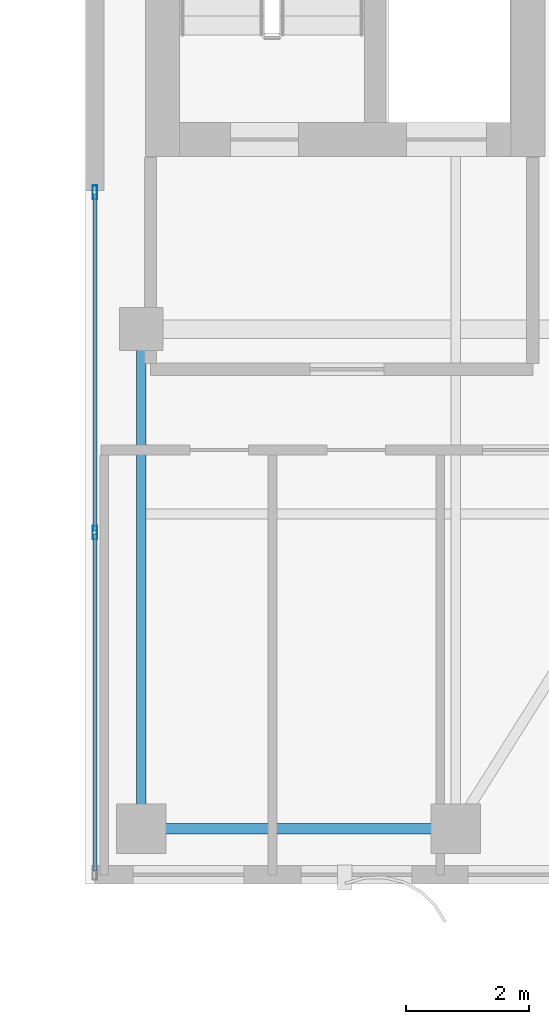
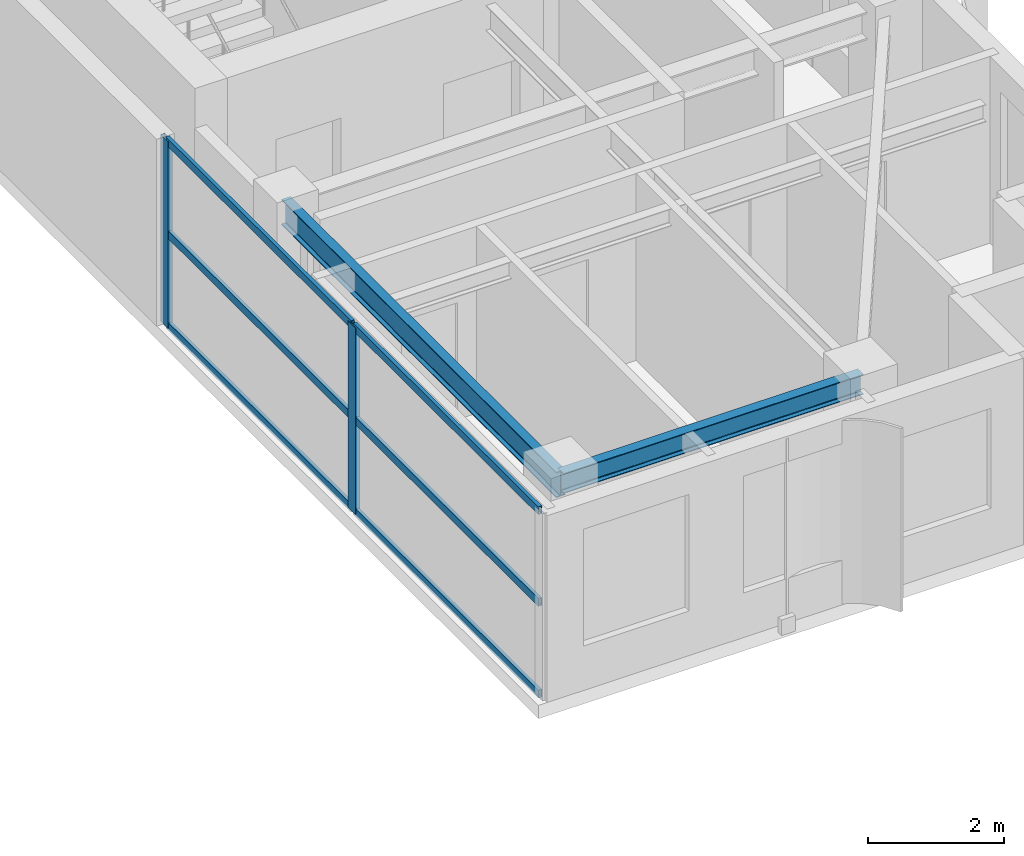
# One storey, part 5 of 22: 8 members, 2 beams, 1 element without a shape of its own.
"""IFC4 building model written with IfcOpenShell, lengths in metres."""

from ifc_helpers import new_model, si_unit, direction, frame, origin, origin_2d, place, context, subcontext, project, spatial, hollow_rectangle, i_section, extrude, source, transform, mapped, material, layer, layer_set, material_profile, profile_set, type_object, element, aggregate, save


model = new_model("IFC4")

# Units and contexts
model_context = context("Model", 3, precision=1e-05, world=origin(), true_north=direction((0.0, 1.0)))
body_context = subcontext(model_context, "Body", "Model", "MODEL_VIEW")
ifc_project = project(units=[si_unit("LENGTHUNIT", "METRE"), si_unit("AREAUNIT", "SQUARE_METRE"), si_unit("VOLUMEUNIT", "CUBIC_METRE"), si_unit("PLANEANGLEUNIT", "RADIAN"), si_unit("MASSUNIT", "GRAM", prefix="KILO")], contexts=[model_context])

# Site, building, storey
site_placement = place(None, origin())
site = spatial("IfcSite", under=ifc_project, at=site_placement, CompositionType="ELEMENT")
building_placement = place(site_placement, origin())
building = spatial("IfcBuilding", under=site, at=building_placement, Name="Khoralis Quay Care Tower", CompositionType="ELEMENT")
storey_placement = place(building_placement, frame((0.0, 0.0, 242.10009765625)))
storey = spatial("IfcBuildingStorey", under=building, at=storey_placement, Name="L63", CompositionType="ELEMENT", Elevation=242.10009765625)

# Beams
ifc_material_1 = material(Name="Steel S355", Category="steel")
ifc_material_profile_1 = material_profile(ifc_material_1, i_section(OverallWidth=0.169921875, OverallDepth=0.360107421875, WebThickness=0.008056640625, FlangeThickness=0.0126953125, FilletRadius=0.01806640625, at=origin_2d()), Name="Steel S355")
ifc_profile_set_1 = profile_set([ifc_material_profile_1], Name="Steel S355")
beam_type_1 = type_object("IfcBeamType", Name="BM-IPE360", PredefinedType="SPANDREL", material=ifc_profile_set_1)
shared_shape_1 = source(origin(), body_context, "Body", "SweptSolid", [
    extrude(i_section(OverallWidth=0.169921875, OverallDepth=0.360107421875, WebThickness=0.008056640625, FlangeThickness=0.0126953125, FilletRadius=0.01806640625, at=origin_2d()), origin(), (0.0, 0.0, 1.0), 5.10009765625),
])
beam_1_placement = place(storey_placement, frame((30.89990234375, 3.89990234375, 3.179931640625), z_axis=(1.0, 0.0, 0.0), x_axis=(0.0, 1.0, 0.0)))
element("IfcBeam", 1, at=beam_1_placement, inside=storey, type_object=beam_type_1, Name="BM-TSP-L63-02", PredefinedType="SPANDREL", context=body_context, shape_type="MappedRepresentation", body=[
    mapped(shared_shape_1, transform((0.0, 0.0, 0.0), scale=1.0)),
])
ifc_material_profile_2 = material_profile(ifc_material_1, i_section(OverallWidth=0.154052734375, OverallDepth=0.458984375, WebThickness=0.009033203125, FlangeThickness=0.015380859375, FilletRadius=0.014892578125, at=origin_2d()), Name="Steel S355")
ifc_profile_set_2 = profile_set([ifc_material_profile_2], Name="Steel S355")
beam_type_2 = type_object("IfcBeamType", Name="BM-W460X68", PredefinedType="BEAM", material=ifc_profile_set_2)
shared_shape_2 = source(origin(), body_context, "Body", "SweptSolid", [
    extrude(i_section(OverallWidth=0.154052734375, OverallDepth=0.458984375, WebThickness=0.009033203125, FlangeThickness=0.015380859375, FilletRadius=0.014892578125, at=origin_2d()), origin(), (0.0, 0.0, 1.0), 8.10009765625),
])
beam_2_placement = place(storey_placement, frame((30.89990234375, 3.89990234375, 3.13037109375), z_axis=(0.0, 1.0, 0.0), x_axis=(-1.0, 0.0, 0.0)))
element("IfcBeam", 2, at=beam_2_placement, inside=storey, type_object=beam_type_2, Name="BM-TGYS-L63-309", PredefinedType="BEAM", context=body_context, shape_type="MappedRepresentation", body=[
    mapped(shared_shape_2, transform((0.0, 0.0, 0.0), scale=1.0)),
])

# Curtain wall, members
ifc_material_2 = material(Name="Pale anodised aluminium", Category="aluminium")
ifc_layer = layer(ifc_material_2, 0.18994140625)
ifc_layer_set = layer_set([ifc_layer], Name="Pale anodised aluminium")
curtain_wall_type = type_object("IfcCurtainWallType", Name="CW-SYS-PORTAL", PredefinedType="NOTDEFINED", material=ifc_layer_set)
curtain_wall_placement = place(storey_placement, origin())
curtain_wall = element("IfcCurtainWall", 3, at=curtain_wall_placement, inside=storey, type_object=curtain_wall_type, Name="L63 Unitised Curtain Wall CW-VP-L63-P2-S", PredefinedType="NOTDEFINED")
ifc_material_profile_3 = material_profile(ifc_material_2, hollow_rectangle(XDim=0.06005859375, YDim=0.139892578125, WallThickness=0.00390625, at=origin_2d()), Name="Pale anodised aluminium")
ifc_profile_set_3 = profile_set([ifc_material_profile_3], Name="Pale anodised aluminium")
member_type_1 = type_object("IfcMemberType", Name="CW-TRN-140", PredefinedType="USERDEFINED", material=ifc_profile_set_3)
shared_shape_3 = source(origin(), body_context, "Body", "SweptSolid", [
    extrude(hollow_rectangle(XDim=0.06005859375, YDim=0.139892578125, WallThickness=0.00390625, at=origin_2d()), origin(), (0.0, 0.0, 1.0), 5.4599609375),
])
member_1_placement = place(storey_placement, frame((30.14990234375, 3.2099609375, 0.02978515625), z_axis=(0.0, 1.0, 0.0), x_axis=(-1.0, 0.0, 0.0)))
member_1 = element("IfcMember", 4, at=member_1_placement, type_object=member_type_1, Name="CW4 transom 1.1", ObjectType="TRANSOM", PredefinedType="USERDEFINED", context=body_context, shape_type="MappedRepresentation", body=[
    mapped(shared_shape_3, transform((0.0, 0.0, 0.0), scale=1.0)),
])
member_2_placement = place(storey_placement, frame((30.14990234375, 3.2099609375, 1.679931640625), z_axis=(0.0, 1.0, 0.0), x_axis=(-1.0, 0.0, 0.0)))
member_2 = element("IfcMember", 5, at=member_2_placement, type_object=member_type_1, Name="CW4 transom 1.2", ObjectType="TRANSOM", PredefinedType="USERDEFINED", context=body_context, shape_type="MappedRepresentation", body=[
    mapped(shared_shape_3, transform((0.0, 0.0, 0.0), scale=1.0)),
])
member_3_placement = place(storey_placement, frame((30.14990234375, 3.2099609375, 3.329833984375), z_axis=(0.0, 1.0, 0.0), x_axis=(-1.0, 0.0, 0.0)))
member_3 = element("IfcMember", 6, at=member_3_placement, type_object=member_type_1, Name="CW4 transom 1.3", ObjectType="TRANSOM", PredefinedType="USERDEFINED", context=body_context, shape_type="MappedRepresentation", body=[
    mapped(shared_shape_3, transform((0.0, 0.0, 0.0), scale=1.0)),
])
member_4_placement = place(storey_placement, frame((30.14990234375, 8.72998046875, 0.02978515625), z_axis=(0.0, 1.0, 0.0), x_axis=(-1.0, 0.0, 0.0)))
member_4 = element("IfcMember", 7, at=member_4_placement, type_object=member_type_1, Name="CW4 transom 2.1", ObjectType="TRANSOM", PredefinedType="USERDEFINED", context=body_context, shape_type="MappedRepresentation", body=[
    mapped(shared_shape_3, transform((0.0, 0.0, 0.0), scale=1.0)),
])
member_5_placement = place(storey_placement, frame((30.14990234375, 8.72998046875, 1.679931640625), z_axis=(0.0, 1.0, 0.0), x_axis=(-1.0, 0.0, 0.0)))
member_5 = element("IfcMember", 8, at=member_5_placement, type_object=member_type_1, Name="CW4 transom 2.2", ObjectType="TRANSOM", PredefinedType="USERDEFINED", context=body_context, shape_type="MappedRepresentation", body=[
    mapped(shared_shape_3, transform((0.0, 0.0, 0.0), scale=1.0)),
])
member_6_placement = place(storey_placement, frame((30.14990234375, 8.72998046875, 3.329833984375), z_axis=(0.0, 1.0, 0.0), x_axis=(-1.0, 0.0, 0.0)))
member_6 = element("IfcMember", 9, at=member_6_placement, type_object=member_type_1, Name="CW4 transom 2.3", ObjectType="TRANSOM", PredefinedType="USERDEFINED", context=body_context, shape_type="MappedRepresentation", body=[
    mapped(shared_shape_3, transform((0.0, 0.0, 0.0), scale=1.0)),
])
ifc_material_profile_4 = material_profile(ifc_material_2, hollow_rectangle(XDim=0.074951171875, YDim=0.219970703125, WallThickness=0.00390625, at=origin_2d()), Name="Pale anodised aluminium")
ifc_profile_set_4 = profile_set([ifc_material_profile_4], Name="Pale anodised aluminium")
member_type_2 = type_object("IfcMemberType", Name="CW-MUL-220", PredefinedType="MULLION", material=ifc_profile_set_4)
shared_shape_4 = source(origin(), body_context, "Body", "SweptSolid", [
    extrude(hollow_rectangle(XDim=0.074951171875, YDim=0.219970703125, WallThickness=0.00390625, at=origin_2d()), origin(), (0.0, 0.0, 1.0), 3.35986328125),
])
member_7_placement = place(storey_placement, frame((30.14990234375, 8.699951171875, 0.0), z_axis=(0.0, 0.0, 1.0), x_axis=(-1.0, 0.0, 0.0)))
member_7 = element("IfcMember", 10, at=member_7_placement, type_object=member_type_2, Name="CW4 mullion 2", PredefinedType="MULLION", context=body_context, shape_type="MappedRepresentation", body=[
    mapped(shared_shape_4, transform((0.0, 0.0, 0.0), scale=1.0)),
])
member_8_placement = place(storey_placement, frame((30.14990234375, 14.219970703125, 0.0), z_axis=(0.0, 0.0, 1.0), x_axis=(-1.0, 0.0, 0.0)))
member_8 = element("IfcMember", 11, at=member_8_placement, type_object=member_type_2, Name="CW4 mullion 3", PredefinedType="MULLION", context=body_context, shape_type="MappedRepresentation", body=[
    mapped(shared_shape_4, transform((0.0, 0.0, 0.0), scale=1.0)),
])
aggregate(curtain_wall, [member_7, member_8, member_1, member_2, member_3, member_4, member_5, member_6])

save(model, "model.ifc")
